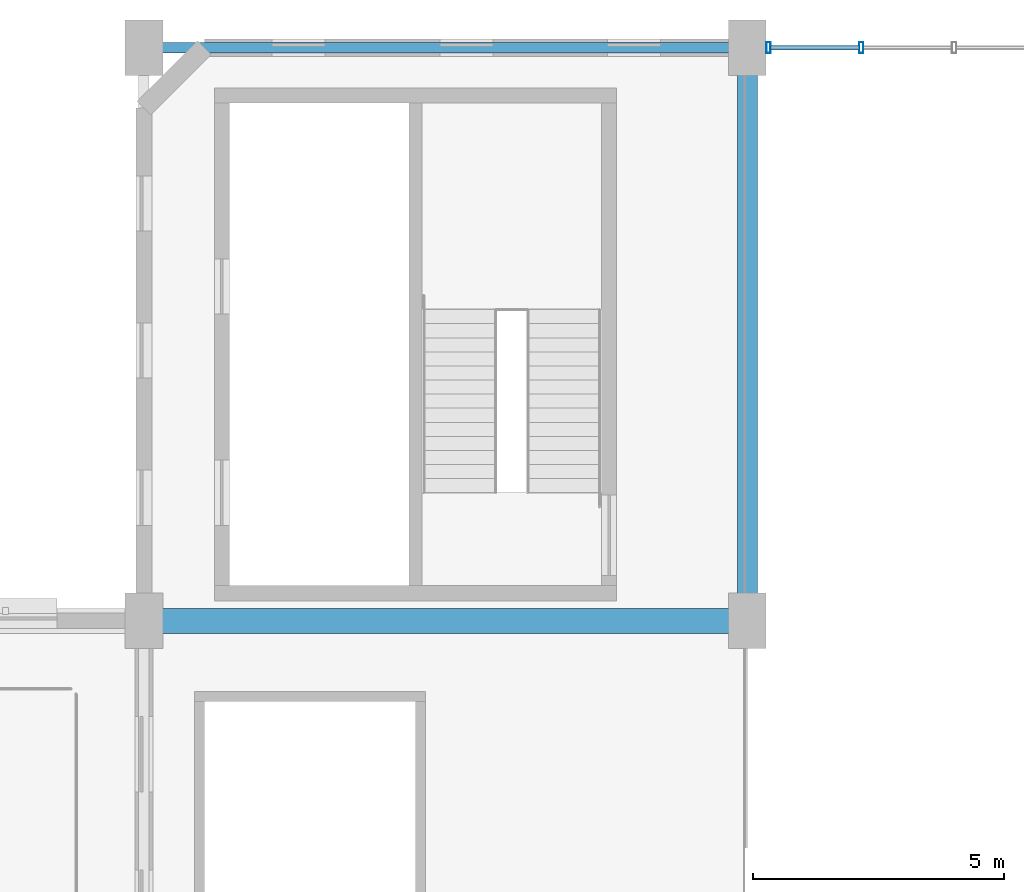
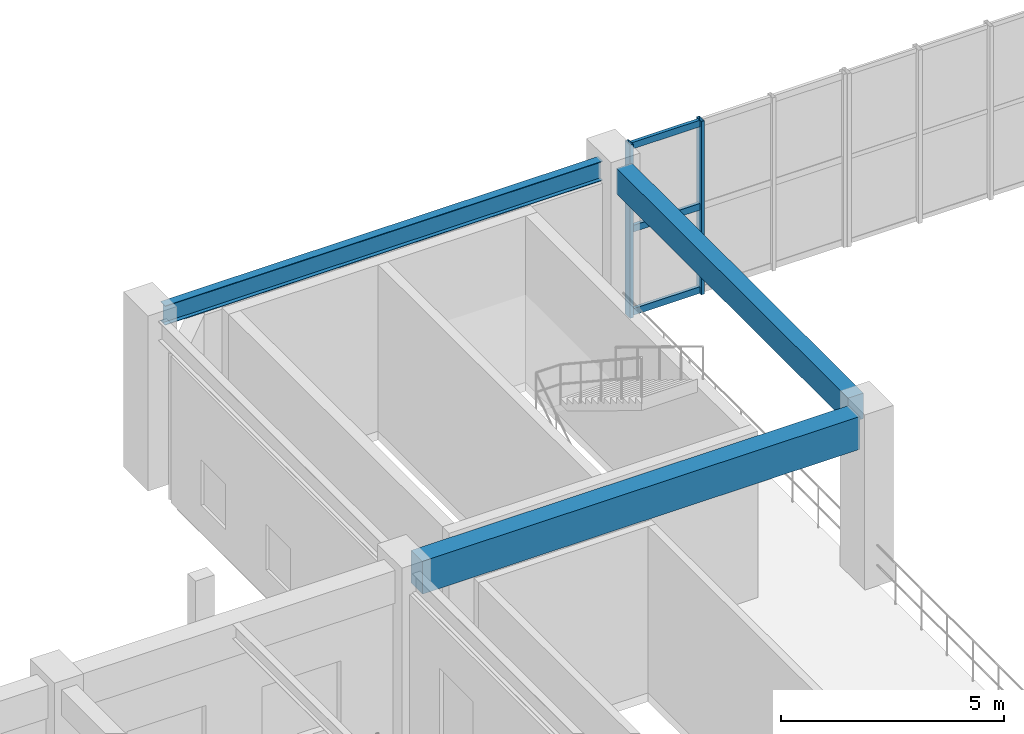
# One storey, part 62 of 106: 5 members, 3 beams, 1 element without a shape of its own.
"""IFC4 building model written with IfcOpenShell, lengths in metres."""

from ifc_helpers import new_model, si_unit, direction, frame, origin, origin_2d, place, context, subcontext, project, spatial, rectangle, hollow_rectangle, i_section, extrude, material, layer, layer_set, material_profile, profile_set, type_object, element, aggregate, save


model = new_model("IFC4")

# Units and contexts
model_context = context("Model", 3, precision=1e-05, world=origin(), true_north=direction((0.0, 1.0)))
body_context = subcontext(model_context, "Body", "Model", "MODEL_VIEW")
ifc_project = project(units=[si_unit("LENGTHUNIT", "METRE"), si_unit("AREAUNIT", "SQUARE_METRE"), si_unit("VOLUMEUNIT", "CUBIC_METRE"), si_unit("PLANEANGLEUNIT", "RADIAN"), si_unit("MASSUNIT", "GRAM", prefix="KILO"), si_unit("POWERUNIT", "WATT"), si_unit("THERMODYNAMICTEMPERATUREUNIT", "KELVIN")], contexts=[model_context])

# Site, building, storey
site_placement = place(None, origin())
site = spatial("IfcSite", under=ifc_project, at=site_placement, CompositionType="ELEMENT")
building_placement = place(site_placement, origin())
building = spatial("IfcBuilding", under=site, at=building_placement, Name="Kelmbourne Parkland Aquatics Centre", CompositionType="ELEMENT")
storey_placement = place(building_placement, frame((0.0, 0.0, 5.39990234375)))
storey = spatial("IfcBuildingStorey", under=building, at=storey_placement, Name="L01", CompositionType="ELEMENT", Elevation=5.39990234375)

# Beams
ifc_material_1 = material(Name="Concrete C40/50", Category="concrete")
ifc_material_profile_1 = material_profile(ifc_material_1, rectangle(XDim=0.5, YDim=0.89990234375, at=origin_2d()), Name="RC 500x900")
ifc_profile_set_1 = profile_set([ifc_material_profile_1], Name="Concrete C40/50")
beam_type_1 = type_object("IfcBeamType", Name="BM-G03", PredefinedType="BEAM", material=ifc_profile_set_1)
beam_1_placement = place(storey_placement, frame((128.330078125, 103.39990234375, 4.110107421875), z_axis=(1.0, 0.0, 0.0), x_axis=(0.0, 1.0, 0.0)))
element("IfcBeam", 1, at=beam_1_placement, inside=storey, type_object=beam_type_1, Name="Primary girder P-Q Grid 13 (L02)", PredefinedType="BEAM", context=body_context, shape_type="SweptSolid", body=[
    extrude(rectangle(XDim=0.5, YDim=0.89990234375, at=origin_2d()), origin(), (0.0, 0.0, 1.0), 11.33984375),
])
ifc_material_profile_2 = material_profile(ifc_material_1, rectangle(XDim=0.39990234375, YDim=0.699951171875, at=origin_2d()), Name="RC 400x700")
ifc_profile_set_2 = profile_set([ifc_material_profile_2], Name="Concrete C40/50")
beam_type_2 = type_object("IfcBeamType", Name="BM-G05", PredefinedType="BEAM", material=ifc_profile_set_2)
beam_2_placement = place(storey_placement, frame((140.0, 103.905029296875, 4.210205078125), z_axis=(0.0, 1.0, 0.0), x_axis=(-1.0, 0.0, 0.0)))
element("IfcBeam", 2, at=beam_2_placement, inside=storey, type_object=beam_type_2, Name="Primary girder 13-14 Grid Q (L02)", PredefinedType="BEAM", context=body_context, shape_type="SweptSolid", body=[
    extrude(rectangle(XDim=0.39990234375, YDim=0.699951171875, at=origin_2d()), origin(), (0.0, 0.0, 1.0), 10.389892578125),
])
ifc_material_2 = material(Name="Structural steel AS/NZS 3679.1 Grade 300", Category="steel")
ifc_material_profile_3 = material_profile(ifc_material_2, i_section(OverallWidth=0.208984375, OverallDepth=0.532958984375, WebThickness=0.01025390625, FlangeThickness=0.015625, at=origin_2d()), Name="530UB92.4")
ifc_profile_set_3 = profile_set([ifc_material_profile_3], Name="Structural steel AS/NZS 3679.1 Grade 300")
beam_type_3 = type_object("IfcBeamType", Name="BM-SP02", PredefinedType="SPANDREL", material=ifc_profile_set_3)
beam_3_placement = place(storey_placement, frame((128.330078125, 114.800048828125, 4.293701171875), z_axis=(1.0, 0.0, 0.0), x_axis=(0.0, 1.0, 0.0)))
element("IfcBeam", 3, at=beam_3_placement, inside=storey, type_object=beam_type_3, Name="Perimeter spandrel P-Q Grid 14 (L02)", PredefinedType="SPANDREL", context=body_context, shape_type="SweptSolid", body=[
    extrude(i_section(OverallWidth=0.208984375, OverallDepth=0.532958984375, WebThickness=0.01025390625, FlangeThickness=0.015625, at=origin_2d()), origin(), (0.0, 0.0, 1.0), 11.33984375),
])

# Curtain wall, members
ifc_material_3 = material(Name="Thermally broken anodised aluminium framing", Category="aluminium")
ifc_layer = layer(ifc_material_3, 0.179931640625)
ifc_layer_set = layer_set([ifc_layer], Name="Thermally broken anodised aluminium framing")
curtain_wall_type = type_object("IfcCurtainWallType", Name="CW-17", PredefinedType="NOTDEFINED", material=ifc_layer_set)
curtain_wall_placement = place(storey_placement, origin())
curtain_wall = element("IfcCurtainWall", 4, at=curtain_wall_placement, inside=storey, type_object=curtain_wall_type, Name="Wave-hall clerestory curtain wall CW-L01-137", PredefinedType="NOTDEFINED")
ifc_material_profile_4 = material_profile(ifc_material_3, hollow_rectangle(XDim=0.0849609375, YDim=0.219970703125, WallThickness=0.0048828125, at=origin_2d()), Name="CW-M 85x220")
ifc_profile_set_4 = profile_set([ifc_material_profile_4], Name="Thermally broken anodised aluminium framing")
member_type_1 = type_object("IfcMemberType", Name="MB-MUL-3", PredefinedType="MULLION", material=ifc_profile_set_4)
member_1_placement = place(storey_placement, frame((140.41943359375, 114.800048828125, 0.0), z_axis=(0.0, 0.0, 1.0), x_axis=(1.0, 0.0, 0.0)))
member_1 = element("IfcMember", 5, at=member_1_placement, type_object=member_type_1, Name="CW-L01-137 mullion 0", PredefinedType="MULLION", context=body_context, shape_type="SweptSolid", body=[
    extrude(hollow_rectangle(XDim=0.0849609375, YDim=0.219970703125, WallThickness=0.0048828125, at=origin_2d()), origin(), (0.0, 0.0, 1.0), 4.75),
])
member_2_placement = place(storey_placement, frame((142.265380859375, 114.800048828125, 0.0), z_axis=(0.0, 0.0, 1.0), x_axis=(1.0, 0.0, 0.0)))
member_2 = element("IfcMember", 6, at=member_2_placement, type_object=member_type_1, Name="CW-L01-137 mullion 1", PredefinedType="MULLION", context=body_context, shape_type="SweptSolid", body=[
    extrude(hollow_rectangle(XDim=0.0849609375, YDim=0.219970703125, WallThickness=0.0048828125, at=origin_2d()), origin(), (0.0, 0.0, 1.0), 4.75),
])
ifc_material_profile_5 = material_profile(ifc_material_3, hollow_rectangle(XDim=0.0849609375, YDim=0.179931640625, WallThickness=0.00439453125, at=origin_2d()), Name="CW-T 85x180")
ifc_profile_set_5 = profile_set([ifc_material_profile_5], Name="Thermally broken anodised aluminium framing")
member_type_2 = type_object("IfcMemberType", Name="MB-TRN-3", PredefinedType="USERDEFINED", material=ifc_profile_set_5)
member_3_placement = place(storey_placement, frame((140.4580078125, 114.800048828125, 0.093017578125), z_axis=(1.0, 0.0, 0.0), x_axis=(0.0, 1.0, 0.0)))
member_3 = element("IfcMember", 7, at=member_3_placement, type_object=member_type_2, Name="CW-L01-137 transom 0-0", ObjectType="TRANSOM", PredefinedType="USERDEFINED", context=body_context, shape_type="SweptSolid", body=[
    extrude(hollow_rectangle(XDim=0.0849609375, YDim=0.179931640625, WallThickness=0.00439453125, at=origin_2d()), origin(), (0.0, 0.0, 1.0), 1.76904296875),
])
member_4_placement = place(storey_placement, frame((140.4580078125, 114.800048828125, 2.375), z_axis=(1.0, 0.0, 0.0), x_axis=(0.0, 1.0, 0.0)))
member_4 = element("IfcMember", 8, at=member_4_placement, type_object=member_type_2, Name="CW-L01-137 transom 1-0", ObjectType="TRANSOM", PredefinedType="USERDEFINED", context=body_context, shape_type="SweptSolid", body=[
    extrude(hollow_rectangle(XDim=0.0849609375, YDim=0.179931640625, WallThickness=0.00439453125, at=origin_2d()), origin(), (0.0, 0.0, 1.0), 1.76904296875),
])
member_5_placement = place(storey_placement, frame((140.4580078125, 114.800048828125, 4.656982421875), z_axis=(1.0, 0.0, 0.0), x_axis=(0.0, 1.0, 0.0)))
member_5 = element("IfcMember", 9, at=member_5_placement, type_object=member_type_2, Name="CW-L01-137 transom 2-0", ObjectType="TRANSOM", PredefinedType="USERDEFINED", context=body_context, shape_type="SweptSolid", body=[
    extrude(hollow_rectangle(XDim=0.0849609375, YDim=0.179931640625, WallThickness=0.00439453125, at=origin_2d()), origin(), (0.0, 0.0, 1.0), 1.76904296875),
])
aggregate(curtain_wall, [member_1, member_2, member_3, member_4, member_5])

save(model, "model.ifc")
